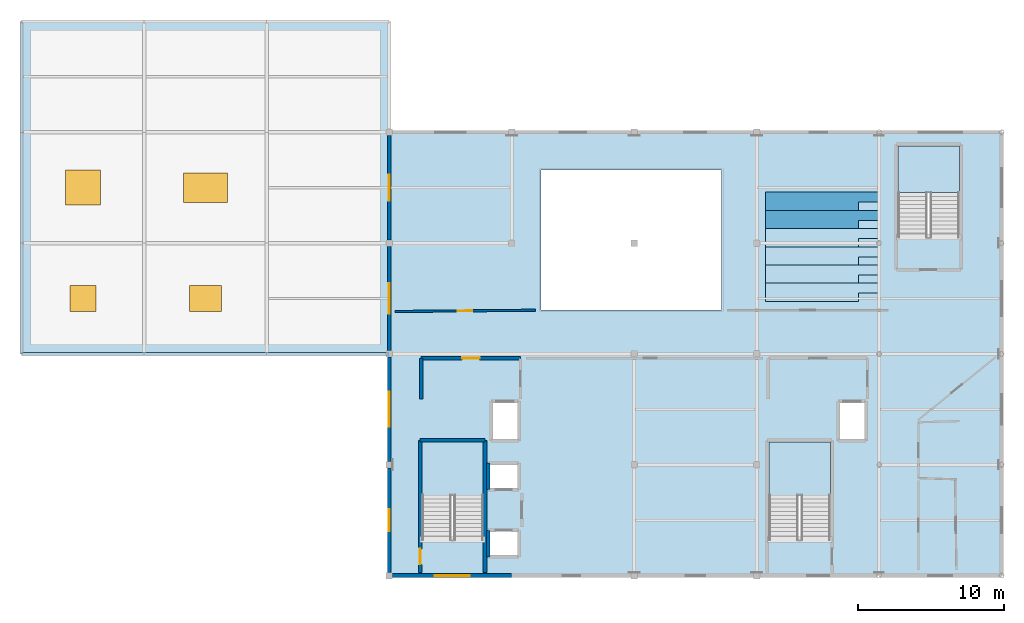
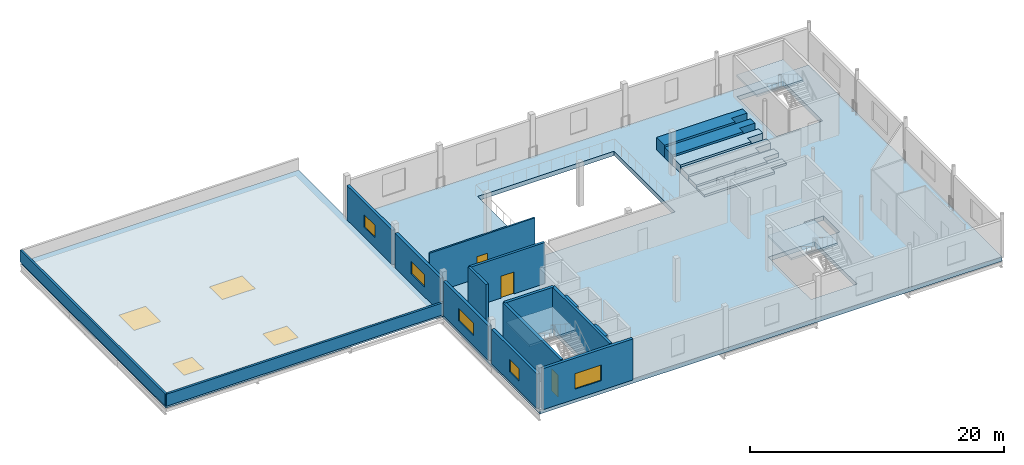
# One storey, part 5 of 13: 15 walls, 11 slabs, 9 windows, 3 doors, 12 openings, 3 elements without a shape of their own.
"""IFC4 building model written with IfcOpenShell, lengths in metres."""

from ifc_helpers import new_model, si_unit, direction, frame, frame_2d, origin, origin_2d, place, context, subcontext, project, spatial, polyline, rectangle, outline, extrude, material, layer, layer_set, type_object, element, fill, aggregate, save


model = new_model("IFC4")

# Units and contexts
model_context = context("Model", 3, precision=1e-05, world=origin(), true_north=direction((0.0, 1.0)))
body_context = subcontext(model_context, "Body", "Model", "MODEL_VIEW")
ifc_project = project(units=[si_unit("LENGTHUNIT", "METRE"), si_unit("AREAUNIT", "SQUARE_METRE"), si_unit("VOLUMEUNIT", "CUBIC_METRE"), si_unit("PLANEANGLEUNIT", "RADIAN"), si_unit("MASSUNIT", "GRAM", prefix="KILO")], contexts=[model_context])

# Site, building, storey
site_placement = place(None, origin())
site = spatial("IfcSite", under=ifc_project, at=site_placement, CompositionType="ELEMENT")
building_placement = place(site_placement, origin())
building = spatial("IfcBuilding", under=site, at=building_placement, Name="Zuvorla Pavilion Media Centre", CompositionType="ELEMENT")
storey_placement = place(building_placement, frame((0.0, 0.0, 22.199951171875)))
storey = spatial("IfcBuildingStorey", under=building, at=storey_placement, Name="L05", CompositionType="ELEMENT", Elevation=22.199951171875)

# Slab
ifc_material_1 = material(Name="Concrete C40/50", Category="concrete")
ifc_layer_1 = layer(ifc_material_1, 0.419921875)
ifc_layer_set_1 = layer_set([ifc_layer_1], Name="Concrete C40/50")
slab_type_1 = type_object("IfcSlabType", Name="SLB-FLR-400", PredefinedType="FLOOR", material=ifc_layer_set_1)
slab_1_placement = place(storey_placement, frame((0.0, 0.0, -0.419921875)))
element("IfcSlab", 1, at=slab_1_placement, inside=storey, type_object=slab_type_1, Name="L05 floor slab CB", PredefinedType="FLOOR", context=body_context, shape_type="SweptSolid", body=[
    extrude(outline(polyline([(66.800048828125, 6.0), (66.800048828125, 36.39990234375), (108.800048828125, 36.39990234375), (108.800048828125, 6.0), (66.800048828125, 6.0)]), holes=[polyline([(73.669921875, 9.030029296875), (73.669921875, 7.3701171875), (75.6298828125, 7.3701171875), (75.6298828125, 9.030029296875), (73.669921875, 9.030029296875)]), polyline([(69.050048828125, 15.14990234375), (69.050048828125, 8.449951171875), (73.25, 8.449951171875), (73.25, 15.14990234375), (69.050048828125, 15.14990234375)]), polyline([(92.85009765625, 15.14990234375), (92.85009765625, 8.449951171875), (97.050048828125, 8.449951171875), (97.050048828125, 15.14990234375), (92.85009765625, 15.14990234375)]), polyline([(73.669921875, 13.6298828125), (73.669921875, 11.969970703125), (75.6298828125, 11.969970703125), (75.6298828125, 13.6298828125), (73.669921875, 13.6298828125)]), polyline([(73.8701171875, 17.8798828125), (73.8701171875, 15.320068359375), (75.6298828125, 15.320068359375), (75.6298828125, 17.8798828125), (73.8701171875, 17.8798828125)]), polyline([(97.669921875, 17.8798828125), (97.669921875, 15.320068359375), (99.429931640625, 15.320068359375), (99.429931640625, 17.8798828125), (97.669921875, 17.8798828125)]), polyline([(77.199951171875, 33.800048828125), (77.199951171875, 24.199951171875), (89.60009765625, 24.199951171875), (89.60009765625, 33.800048828125), (77.199951171875, 33.800048828125)]), polyline([(101.699951171875, 35.449951171875), (101.699951171875, 29.199951171875), (105.89990234375, 29.199951171875), (105.89990234375, 35.449951171875), (101.699951171875, 35.449951171875)])]), origin(), (0.0, 0.0, 1.0), 0.419921875),
])

# Stair, slab
stair_type = type_object("IfcStairType", Name="STR-DOG-420", PredefinedType="TWO_STRAIGHT_RUN_STAIR", material=ifc_material_1)
stair_1_placement = place(storey_placement, origin())
stair_1 = element("IfcStair", 2, at=stair_1_placement, inside=storey, type_object=stair_type, Name="L05 exit stair ST-01", PredefinedType="TWO_STRAIGHT_RUN_STAIR")
ifc_layer_2 = layer(ifc_material_1, 0.199951171875)
ifc_layer_set_2 = layer_set([ifc_layer_2], Name="Concrete C40/50")
slab_type_2 = type_object("IfcSlabType", Name="SLB-LND-200", PredefinedType="LANDING", material=ifc_layer_set_2)
slab_2_placement = place(storey_placement, frame((0.0, 0.0, 1.900146484375)))
slab_2 = element("IfcSlab", 3, at=slab_2_placement, type_object=slab_type_2, Name="ST-01 landing 1", PredefinedType="LANDING", context=body_context, shape_type="SweptSolid", body=[
    extrude(outline(polyline([(69.030029296875, 11.510009765625), (73.27001953125, 11.510009765625), (73.27001953125, 15.169921875), (69.030029296875, 15.169921875), (69.030029296875, 11.510009765625)])), origin(), (0.0, 0.0, 1.0), 0.199951171875),
])
aggregate(stair_1, [slab_2])

stair_2_placement = place(storey_placement, origin())
stair_2 = element("IfcStair", 4, at=stair_2_placement, inside=storey, type_object=stair_type, Name="L05 exit stair ST-02", PredefinedType="TWO_STRAIGHT_RUN_STAIR")
slab_3_placement = place(storey_placement, frame((0.0, 0.0, 1.900146484375)))
slab_3 = element("IfcSlab", 5, at=slab_3_placement, type_object=slab_type_2, Name="ST-02 landing 1", PredefinedType="LANDING", context=body_context, shape_type="SweptSolid", body=[
    extrude(outline(polyline([(92.830078125, 11.510009765625), (97.070068359375, 11.510009765625), (97.070068359375, 15.169921875), (92.830078125, 15.169921875), (92.830078125, 11.510009765625)])), origin(), (0.0, 0.0, 1.0), 0.199951171875),
])
aggregate(stair_2, [slab_3])

stair_3_placement = place(storey_placement, origin())
stair_3 = element("IfcStair", 6, at=stair_3_placement, inside=storey, type_object=stair_type, Name="L05 exit stair ST-04", PredefinedType="TWO_STRAIGHT_RUN_STAIR")
slab_4_placement = place(storey_placement, frame((0.0, 0.0, 1.900146484375)))
slab_4 = element("IfcSlab", 7, at=slab_4_placement, type_object=slab_type_2, Name="ST-04 landing 1", PredefinedType="LANDING", context=body_context, shape_type="SweptSolid", body=[
    extrude(outline(polyline([(101.679931640625, 32.260009765625), (105.919921875, 32.260009765625), (105.919921875, 35.469970703125), (101.679931640625, 35.469970703125), (101.679931640625, 32.260009765625)])), origin(), (0.0, 0.0, 1.0), 0.199951171875),
])
aggregate(stair_3, [slab_4])

# Slab, openings, windows
ifc_material_2 = material(Name="Concrete C32/40", Category="concrete")
ifc_layer_3 = layer(ifc_material_2, 0.239990234375)
ifc_layer_set_3 = layer_set([ifc_layer_3], Name="Concrete C32/40")
slab_type_3 = type_object("IfcSlabType", Name="SLB-ROOF-240", PredefinedType="ROOF", material=ifc_layer_set_3)
slab_5_placement = place(storey_placement, frame((0.0, 0.0, -0.239990234375)))
slab_5 = element("IfcSlab", 8, at=slab_5_placement, inside=storey, type_object=slab_type_3, Name="L05 roof slab SLB-ROOF-SW-L05", PredefinedType="ROOF", context=body_context, shape_type="SweptSolid", body=[
    extrude(outline(polyline([(41.60009765625, 21.199951171875), (41.60009765625, 44.0), (66.800048828125, 44.0), (66.800048828125, 21.199951171875), (41.60009765625, 21.199951171875)]), holes=[polyline([(44.89990234375, 24.10009765625), (46.699951171875, 24.10009765625), (46.699951171875, 25.89990234375), (44.89990234375, 25.89990234375), (44.89990234375, 24.10009765625)]), polyline([(53.199951171875, 24.199951171875), (55.199951171875, 24.199951171875), (55.199951171875, 25.800048828125), (53.199951171875, 25.800048828125), (53.199951171875, 24.199951171875)]), polyline([(44.699951171875, 31.699951171875), (46.89990234375, 31.699951171875), (46.89990234375, 33.5), (44.699951171875, 33.5), (44.699951171875, 31.699951171875)]), polyline([(53.0, 31.60009765625), (55.39990234375, 31.60009765625), (55.39990234375, 33.60009765625), (53.0, 33.60009765625), (53.0, 31.60009765625)])]), origin(), (0.0, 0.0, 1.0), 0.239990234375),
])
opening_1_placement = place(slab_5_placement, frame((45.800048828125, 25.0, -0.010009765625)))
opening_1 = element("IfcOpeningElement", 9, at=opening_1_placement, cuts=slab_5, Name="Opening SK01", PredefinedType="OPENING", context=body_context, shape_type="SweptSolid", body=[
    extrude(rectangle(XDim=1.800048828125, YDim=1.800048828125, at=origin_2d()), origin(), (0.0, 0.0, 1.0), 0.260009765625),
])
opening_2_placement = place(slab_5_placement, frame((54.199951171875, 25.0, -0.010009765625)))
opening_2 = element("IfcOpeningElement", 10, at=opening_2_placement, cuts=slab_5, Name="Opening SK02", PredefinedType="OPENING", context=body_context, shape_type="SweptSolid", body=[
    extrude(rectangle(XDim=2.199951171875, YDim=1.800048828125, at=origin_2d()), origin(), (0.0, 0.0, 1.0), 0.260009765625),
])
opening_3_placement = place(slab_5_placement, frame((45.800048828125, 32.60009765625, -0.010009765625)))
opening_3 = element("IfcOpeningElement", 11, at=opening_3_placement, cuts=slab_5, Name="Opening SK03", PredefinedType="OPENING", context=body_context, shape_type="SweptSolid", body=[
    extrude(rectangle(XDim=2.39990234375, YDim=2.39990234375, at=origin_2d()), origin(), (0.0, 0.0, 1.0), 0.260009765625),
])
opening_4_placement = place(slab_5_placement, frame((54.199951171875, 32.60009765625, -0.010009765625)))
opening_4 = element("IfcOpeningElement", 12, at=opening_4_placement, cuts=slab_5, Name="Opening SK04", PredefinedType="OPENING", context=body_context, shape_type="SweptSolid", body=[
    extrude(rectangle(XDim=3.0, YDim=2.0, at=origin_2d()), origin(), (0.0, 0.0, 1.0), 0.260009765625),
])
ifc_material_3 = material(Name="Anodised aluminium skylight with laminated solar glass", Category="aluminium")
window_type_1 = type_object("IfcWindowType", Name="SKY-SK01", PartitioningType="SINGLE_PANEL", PredefinedType="SKYLIGHT", material=ifc_material_3)
window_1_placement = place(slab_5_placement, frame((45.800048828125, 25.0, 0.18994140625)))
window_1 = element("IfcWindow", 13, at=window_1_placement, inside=storey, type_object=window_type_1, Name="L05 roof skylight SK01 157", OverallHeight=1.800048828125, OverallWidth=1.800048828125, PartitioningType="SINGLE_PANEL", PredefinedType="SKYLIGHT", context=body_context, shape_type="SweptSolid", body=[
    extrude(rectangle(XDim=1.800048828125, YDim=1.800048828125, at=origin_2d()), origin(), (0.0, 0.0, 1.0), 0.050048828125),
])
fill(opening_1, window_1)
window_type_2 = type_object("IfcWindowType", Name="SKY-SK02", PartitioningType="SINGLE_PANEL", PredefinedType="SKYLIGHT", material=ifc_material_3)
window_2_placement = place(slab_5_placement, frame((54.199951171875, 25.0, 0.18994140625)))
window_2 = element("IfcWindow", 14, at=window_2_placement, inside=storey, type_object=window_type_2, Name="L05 roof skylight SK02 158", OverallHeight=1.800048828125, OverallWidth=2.199951171875, PartitioningType="SINGLE_PANEL", PredefinedType="SKYLIGHT", context=body_context, shape_type="SweptSolid", body=[
    extrude(rectangle(XDim=2.199951171875, YDim=1.800048828125, at=origin_2d()), origin(), (0.0, 0.0, 1.0), 0.050048828125),
])
fill(opening_2, window_2)
window_type_3 = type_object("IfcWindowType", Name="SKY-SK03", PartitioningType="SINGLE_PANEL", PredefinedType="SKYLIGHT", material=ifc_material_3)
window_3_placement = place(slab_5_placement, frame((45.800048828125, 32.60009765625, 0.18994140625)))
window_3 = element("IfcWindow", 15, at=window_3_placement, inside=storey, type_object=window_type_3, Name="L05 roof skylight SK03 159", OverallHeight=2.39990234375, OverallWidth=2.39990234375, PartitioningType="SINGLE_PANEL", PredefinedType="SKYLIGHT", context=body_context, shape_type="SweptSolid", body=[
    extrude(rectangle(XDim=2.39990234375, YDim=2.39990234375, at=origin_2d()), origin(), (0.0, 0.0, 1.0), 0.050048828125),
])
fill(opening_3, window_3)
window_type_4 = type_object("IfcWindowType", Name="SKY-SK04", PartitioningType="SINGLE_PANEL", PredefinedType="SKYLIGHT", material=ifc_material_3)
window_4_placement = place(slab_5_placement, frame((54.199951171875, 32.60009765625, 0.18994140625)))
window_4 = element("IfcWindow", 16, at=window_4_placement, inside=storey, type_object=window_type_4, Name="L05 roof skylight SK04 160", OverallHeight=2.0, OverallWidth=3.0, PartitioningType="SINGLE_PANEL", PredefinedType="SKYLIGHT", context=body_context, shape_type="SweptSolid", body=[
    extrude(rectangle(XDim=3.0, YDim=2.0, at=origin_2d()), origin(), (0.0, 0.0, 1.0), 0.050048828125),
])
fill(opening_4, window_4)

# Slabs
ifc_material_4 = material(Name="Precast concrete C40/50", Category="concrete")
ifc_layer_4 = layer(ifc_material_4, 0.14990234375)
ifc_layer_set_4 = layer_set([ifc_layer_4], Name="Precast concrete C40/50")
slab_type_4 = type_object("IfcSlabType", Name="SLB-TIER-150", PredefinedType="USERDEFINED", material=ifc_layer_set_4)
slab_6_placement = place(storey_placement, origin())
element("IfcSlab", 17, at=slab_6_placement, inside=storey, type_object=slab_type_4, Name="L05 DUB1 seating tier 1", ObjectType="SEATING TIER", PredefinedType="USERDEFINED", context=body_context, shape_type="SweptSolid", body=[
    extrude(outline(polyline([(92.60009765625, 24.800048828125), (99.0, 24.800048828125), (99.0, 25.362548828125), (100.39990234375, 25.362548828125), (100.39990234375, 26.050048828125), (92.60009765625, 26.050048828125), (92.60009765625, 24.800048828125)])), origin(), (0.0, 0.0, 1.0), 0.199951171875),
])
slab_7_placement = place(storey_placement, origin())
element("IfcSlab", 18, at=slab_7_placement, inside=storey, type_object=slab_type_4, Name="L05 DUB1 seating tier 2", ObjectType="SEATING TIER", PredefinedType="USERDEFINED", context=body_context, shape_type="SweptSolid", body=[
    extrude(outline(polyline([(92.60009765625, 26.050048828125), (99.0, 26.050048828125), (99.0, 26.612548828125), (100.39990234375, 26.612548828125), (100.39990234375, 27.300048828125), (92.60009765625, 27.300048828125), (92.60009765625, 26.050048828125)])), origin(), (0.0, 0.0, 1.0), 0.400146484375),
])
slab_8_placement = place(storey_placement, origin())
element("IfcSlab", 19, at=slab_8_placement, inside=storey, type_object=slab_type_4, Name="L05 DUB1 seating tier 3", ObjectType="SEATING TIER", PredefinedType="USERDEFINED", context=body_context, shape_type="SweptSolid", body=[
    extrude(outline(polyline([(92.60009765625, 27.300048828125), (99.0, 27.300048828125), (99.0, 27.862548828125), (100.39990234375, 27.862548828125), (100.39990234375, 28.550048828125), (92.60009765625, 28.550048828125), (92.60009765625, 27.300048828125)])), origin(), (0.0, 0.0, 1.0), 0.60009765625),
])
slab_9_placement = place(storey_placement, origin())
element("IfcSlab", 20, at=slab_9_placement, inside=storey, type_object=slab_type_4, Name="L05 DUB1 seating tier 4", ObjectType="SEATING TIER", PredefinedType="USERDEFINED", context=body_context, shape_type="SweptSolid", body=[
    extrude(outline(polyline([(92.60009765625, 28.550048828125), (99.0, 28.550048828125), (99.0, 29.112548828125), (100.39990234375, 29.112548828125), (100.39990234375, 29.800048828125), (92.60009765625, 29.800048828125), (92.60009765625, 28.550048828125)])), origin(), (0.0, 0.0, 1.0), 0.800048828125),
])
slab_10_placement = place(storey_placement, origin())
element("IfcSlab", 21, at=slab_10_placement, inside=storey, type_object=slab_type_4, Name="L05 DUB1 seating tier 5", ObjectType="SEATING TIER", PredefinedType="USERDEFINED", context=body_context, shape_type="SweptSolid", body=[
    extrude(outline(polyline([(92.60009765625, 29.800048828125), (99.0, 29.800048828125), (99.0, 30.362548828125), (100.39990234375, 30.362548828125), (100.39990234375, 31.050048828125), (92.60009765625, 31.050048828125), (92.60009765625, 29.800048828125)])), origin(), (0.0, 0.0, 1.0), 1.0),
])
slab_11_placement = place(storey_placement, origin())
element("IfcSlab", 22, at=slab_11_placement, inside=storey, type_object=slab_type_4, Name="L05 DUB1 seating tier 6", ObjectType="SEATING TIER", PredefinedType="USERDEFINED", context=body_context, shape_type="SweptSolid", body=[
    extrude(outline(polyline([(92.60009765625, 31.050048828125), (99.0, 31.050048828125), (99.0, 31.612548828125), (100.39990234375, 31.612548828125), (100.39990234375, 32.300048828125), (92.60009765625, 32.300048828125), (92.60009765625, 31.050048828125)])), origin(), (0.0, 0.0, 1.0), 1.199951171875),
])

# Wall, opening, door
ifc_material_5 = material(Name="Acoustic masonry blockwork C32/40", Category="masonry")
ifc_layer_5 = layer(ifc_material_5, 0.219970703125)
ifc_layer_set_5 = layer_set([ifc_layer_5], Name="Acoustic masonry blockwork C32/40")
wall_type_1 = type_object("IfcWallType", Name="WL-CMP-220", PredefinedType="SOLIDWALL", material=ifc_layer_set_5)
wall_1_placement = place(storey_placement, frame((69.0, 20.89990234375, 0.0), z_axis=(0.0, 0.0, 1.0), x_axis=(1.0, 0.0, 0.0)))
wall_1 = element("IfcWall", 23, at=wall_1_placement, inside=storey, type_object=wall_type_1, Name="L05 solid wall IW22 50", PredefinedType="SOLIDWALL", context=body_context, shape_type="SweptSolid", body=[
    extrude(rectangle(XDim=6.800048828125, YDim=0.219970703125, at=frame_2d((3.39990234375, 0.0))), origin(), (0.0, 0.0, 1.0), 3.949951171875),
])
opening_5_placement = place(wall_1_placement, frame((2.800048828125, 0.0, 0.0)))
opening_5 = element("IfcOpeningElement", 24, at=opening_5_placement, cuts=wall_1, Name="Opening FD06", PredefinedType="OPENING", context=body_context, shape_type="SweptSolid", body=[
    extrude(rectangle(XDim=1.199951171875, YDim=2.10009765625, at=frame_2d((0.60009765625, 1.050048828125))), frame((0.0, 0.119873046875, 0.0), z_axis=(0.0, -1.0, 0.0), x_axis=(1.0, 0.0, 0.0)), (0.0, 0.0, 1.0), 0.239990234375),
])
ifc_material_6 = material(Name="Acoustic timber fire door leaf in steel frame", Category="steel")
door_type_1 = type_object("IfcDoorType", Name="DR-INT-FD06", OperationType="NOTDEFINED", PredefinedType="DOOR", material=ifc_material_6)
door_1_placement = place(opening_5_placement, origin())
door_1 = element("IfcDoor", 25, at=door_1_placement, inside=storey, type_object=door_type_1, Name="Firefighting lobby 1 door FD06 26", OperationType="SINGLE_SWING_LEFT", OverallHeight=2.10009765625, OverallWidth=1.199951171875, PredefinedType="DOOR", context=body_context, shape_type="SweptSolid", body=[
    extrude(rectangle(XDim=1.199951171875, YDim=2.10009765625, at=frame_2d((0.60009765625, 1.050048828125))), frame((0.0, 0.02490234375, 0.0), z_axis=(0.0, -1.0, 0.0), x_axis=(1.0, 0.0, 0.0)), (0.0, 0.0, 1.0), 0.050048828125),
])
fill(opening_5, door_1)

# Wall
wall_2_placement = place(storey_placement, frame((69.0, 18.10009765625, 0.0), z_axis=(0.0, 0.0, 1.0), x_axis=(0.0, 1.0, 0.0)))
element("IfcWall", 26, at=wall_2_placement, inside=storey, type_object=wall_type_1, Name="L05 solid wall IW22 51", PredefinedType="SOLIDWALL", context=body_context, shape_type="SweptSolid", body=[
    extrude(rectangle(XDim=2.7998046875, YDim=0.219970703125, at=frame_2d((1.39990234375, 0.0))), origin(), (0.0, 0.0, 1.0), 3.949951171875),
])

# Wall, opening, door
ifc_layer_6 = layer(ifc_material_1, 0.25)
ifc_layer_set_6 = layer_set([ifc_layer_6], Name="Concrete C40/50")
wall_type_2 = type_object("IfcWallType", Name="WL-COR-250", PredefinedType="SHEAR", material=ifc_layer_set_6)
wall_3_placement = place(storey_placement, frame((68.925048828125, 6.22509765625, 0.0), z_axis=(0.0, 0.0, 1.0), x_axis=(0.0, 1.0, 0.0)))
wall_3 = element("IfcWall", 27, at=wall_3_placement, inside=storey, type_object=wall_type_2, Name="L05 shear wall CW25 47", PredefinedType="SHEAR", context=body_context, shape_type="SweptSolid", body=[
    extrude(rectangle(XDim=9.0498046875, YDim=0.25, at=frame_2d((4.52490234375, 0.0))), origin(), (0.0, 0.0, 1.0), 3.9599609375),
])
opening_6_placement = place(wall_3_placement, frame((0.550048828125, 0.0, 0.0)))
opening_6 = element("IfcOpeningElement", 28, at=opening_6_placement, cuts=wall_3, Name="Opening FD04", PredefinedType="OPENING", context=body_context, shape_type="SweptSolid", body=[
    extrude(rectangle(XDim=1.050048828125, YDim=2.10009765625, at=frame_2d((0.52490234375, 1.050048828125))), frame((0.0, 0.135009765625, 0.0), z_axis=(0.0, -1.0, 0.0), x_axis=(1.0, 0.0, 0.0)), (0.0, 0.0, 1.0), 0.27001953125),
])
door_type_2 = type_object("IfcDoorType", Name="DR-INT-FD04", OperationType="NOTDEFINED", PredefinedType="DOOR", material=ifc_material_6)
door_2_placement = place(opening_6_placement, origin())
door_2 = element("IfcDoor", 29, at=door_2_placement, inside=storey, type_object=door_type_2, Name="Stair ST-01 fire door FD04 25", OperationType="SINGLE_SWING_LEFT", OverallHeight=2.10009765625, OverallWidth=1.050048828125, PredefinedType="DOOR", context=body_context, shape_type="SweptSolid", body=[
    extrude(rectangle(XDim=1.050048828125, YDim=2.10009765625, at=frame_2d((0.52490234375, 1.050048828125))), frame((0.0, 0.02490234375, 0.0), z_axis=(0.0, -1.0, 0.0), x_axis=(1.0, 0.0, 0.0)), (0.0, 0.0, 1.0), 0.050048828125),
])
fill(opening_6, door_2)

# Walls
wall_4_placement = place(storey_placement, frame((73.375, 6.22509765625, 0.0), z_axis=(0.0, 0.0, 1.0), x_axis=(0.0, 1.0, 0.0)))
element("IfcWall", 30, at=wall_4_placement, inside=storey, type_object=wall_type_2, Name="L05 shear wall CW25 48", PredefinedType="SHEAR", context=body_context, shape_type="SweptSolid", body=[
    extrude(rectangle(XDim=9.0498046875, YDim=0.25, at=frame_2d((4.52490234375, 0.0))), origin(), (0.0, 0.0, 1.0), 3.9599609375),
])
wall_5_placement = place(storey_placement, frame((68.925048828125, 15.27490234375, 0.0), z_axis=(0.0, 0.0, 1.0), x_axis=(1.0, 0.0, 0.0)))
element("IfcWall", 31, at=wall_5_placement, inside=storey, type_object=wall_type_2, Name="L05 shear wall CW25 49", PredefinedType="SHEAR", context=body_context, shape_type="SweptSolid", body=[
    extrude(rectangle(XDim=4.449951171875, YDim=0.25, at=frame_2d((2.22509765625, 0.0))), origin(), (0.0, 0.0, 1.0), 3.9599609375),
])
for number, where, z_axis, x_axis, name in (
    (32, (73.590087890625, 7.2900390625, 0.0), (0.0, 0.0, 1.0), (0.0, 1.0, 0.0), "L05 shear wall CW25 87"),
    (33, (73.590087890625, 11.889892578125, 0.0), (0.0, 0.0, 1.0), (0.0, 1.0, 0.0), "L05 shear wall CW25 119"),
):
    element("IfcWall", number, at=place(storey_placement, frame(where, z_axis=z_axis, x_axis=x_axis)), inside=storey, type_object=wall_type_2, Name=name, PredefinedType="SHEAR", context=body_context, shape_type="SweptSolid", body=[
        extrude(rectangle(XDim=1.820068359375, YDim=0.25, at=frame_2d((0.91015625, 0.0))), origin(), (0.0, 0.0, 1.0), 3.9599609375),
    ])

# Wall, opening, window
ifc_material_7 = material(Name="White rendered concrete C32/40", Category="concrete")
ifc_layer_7 = layer(ifc_material_7, 0.260009765625)
ifc_layer_set_7 = layer_set([ifc_layer_7], Name="White rendered concrete C32/40")
wall_type_3 = type_object("IfcWallType", Name="WL-EXT-260", PredefinedType="SOLIDWALL", material=ifc_layer_set_7)
wall_6_placement = place(storey_placement, frame((67.02490234375, 6.0, 0.0), z_axis=(0.0, 0.0, 1.0), x_axis=(1.0, 0.0, 0.0)))
wall_6 = element("IfcWall", 34, at=wall_6_placement, inside=storey, type_object=wall_type_3, Name="L05 exterior solid wall EW04 299", PredefinedType="SOLIDWALL", context=body_context, shape_type="SweptSolid", body=[
    extrude(rectangle(XDim=8.175048828125, YDim=0.260009765625, at=frame_2d((4.08740234375, 0.0))), origin(), (0.0, 0.0, 1.0), 3.949951171875),
])
opening_7_placement = place(wall_6_placement, frame((2.887451171875, 0.0, 0.949951171875)))
opening_7 = element("IfcOpeningElement", 35, at=opening_7_placement, cuts=wall_6, Name="Opening WN07", PredefinedType="OPENING", context=body_context, shape_type="SweptSolid", body=[
    extrude(rectangle(XDim=2.39990234375, YDim=1.5, at=frame_2d((1.199951171875, 0.75))), frame((0.0, 0.139892578125, 0.0), z_axis=(0.0, -1.0, 0.0), x_axis=(1.0, 0.0, 0.0)), (0.0, 0.0, 1.0), 0.280029296875),
])
ifc_material_8 = material(Name="Anodised aluminium frame with solar double glazing", Category="aluminium")
window_type_5 = type_object("IfcWindowType", Name="WIN-WN07", PartitioningType="DOUBLE_PANEL_VERTICAL", PredefinedType="WINDOW", material=ifc_material_8)
window_5_placement = place(opening_7_placement, origin())
window_5 = element("IfcWindow", 36, at=window_5_placement, inside=storey, type_object=window_type_5, Name="L05 window WN07 119", OverallHeight=1.5, OverallWidth=2.39990234375, PartitioningType="DOUBLE_PANEL_VERTICAL", PredefinedType="WINDOW", context=body_context, shape_type="SweptSolid", body=[
    extrude(rectangle(XDim=2.39990234375, YDim=1.5, at=frame_2d((1.199951171875, 0.75))), frame((0.0, 0.030029296875, 0.0), z_axis=(0.0, -1.0, 0.0), x_axis=(1.0, 0.0, 0.0)), (0.0, 0.0, 1.0), 0.06005859375),
])
fill(opening_7, window_5)

wall_7_placement = place(storey_placement, frame((66.800048828125, 36.175048828125, 0.0), z_axis=(0.0, 0.0, 1.0), x_axis=(0.0, -1.0, 0.0)))
wall_7 = element("IfcWall", 37, at=wall_7_placement, inside=storey, type_object=wall_type_3, Name="L05 exterior solid wall EW04 313", PredefinedType="SOLIDWALL", context=body_context, shape_type="SweptSolid", body=[
    extrude(rectangle(XDim=7.150146484375, YDim=0.260009765625, at=frame_2d((3.5751953125, 0.0))), origin(), (0.0, 0.0, 1.0), 3.31494140625),
])
opening_8_placement = place(wall_7_placement, frame((2.675048828125, 0.0, 0.949951171875)))
opening_8 = element("IfcOpeningElement", 38, at=opening_8_placement, cuts=wall_7, Name="Opening WN26", PredefinedType="OPENING", context=body_context, shape_type="SweptSolid", body=[
    extrude(rectangle(XDim=1.800048828125, YDim=1.199951171875, at=frame_2d((0.89990234375, 0.60009765625))), frame((0.0, 0.139892578125, 0.0), z_axis=(0.0, -1.0, 0.0), x_axis=(1.0, 0.0, 0.0)), (0.0, 0.0, 1.0), 0.280029296875),
])
window_type_6 = type_object("IfcWindowType", Name="WIN-WN26", PartitioningType="DOUBLE_PANEL_VERTICAL", PredefinedType="WINDOW", material=ifc_material_8)
window_6_placement = place(opening_8_placement, origin())
window_6 = element("IfcWindow", 39, at=window_6_placement, inside=storey, type_object=window_type_6, Name="L05 window WN26 133", OverallHeight=1.199951171875, OverallWidth=1.800048828125, PartitioningType="DOUBLE_PANEL_VERTICAL", PredefinedType="WINDOW", context=body_context, shape_type="SweptSolid", body=[
    extrude(rectangle(XDim=1.800048828125, YDim=1.199951171875, at=frame_2d((0.89990234375, 0.60009765625))), frame((0.0, 0.030029296875, 0.0), z_axis=(0.0, -1.0, 0.0), x_axis=(1.0, 0.0, 0.0)), (0.0, 0.0, 1.0), 0.06005859375),
])
fill(opening_8, window_6)

wall_8_placement = place(storey_placement, frame((66.800048828125, 28.574951171875, 0.0), z_axis=(0.0, 0.0, 1.0), x_axis=(0.0, -1.0, 0.0)))
wall_8 = element("IfcWall", 40, at=wall_8_placement, inside=storey, type_object=wall_type_3, Name="L05 exterior solid wall EW04 314", PredefinedType="SOLIDWALL", context=body_context, shape_type="SweptSolid", body=[
    extrude(rectangle(XDim=7.14990234375, YDim=0.260009765625, at=frame_2d((3.574951171875, 0.0))), origin(), (0.0, 0.0, 1.0), 3.31494140625),
])
opening_9_placement = place(wall_8_placement, frame((2.52490234375, 0.0, 0.949951171875)))
opening_9 = element("IfcOpeningElement", 41, at=opening_9_placement, cuts=wall_8, Name="Opening WN27", PredefinedType="OPENING", context=body_context, shape_type="SweptSolid", body=[
    extrude(rectangle(XDim=2.10009765625, YDim=1.199951171875, at=frame_2d((1.050048828125, 0.60009765625))), frame((0.0, 0.139892578125, 0.0), z_axis=(0.0, -1.0, 0.0), x_axis=(1.0, 0.0, 0.0)), (0.0, 0.0, 1.0), 0.280029296875),
])
window_type_7 = type_object("IfcWindowType", Name="WIN-WN27", PartitioningType="DOUBLE_PANEL_VERTICAL", PredefinedType="WINDOW", material=ifc_material_8)
window_7_placement = place(opening_9_placement, origin())
window_7 = element("IfcWindow", 42, at=window_7_placement, inside=storey, type_object=window_type_7, Name="L05 window WN27 134", OverallHeight=1.199951171875, OverallWidth=2.10009765625, PartitioningType="DOUBLE_PANEL_VERTICAL", PredefinedType="WINDOW", context=body_context, shape_type="SweptSolid", body=[
    extrude(rectangle(XDim=2.10009765625, YDim=1.199951171875, at=frame_2d((1.050048828125, 0.60009765625))), frame((0.0, 0.030029296875, 0.0), z_axis=(0.0, -1.0, 0.0), x_axis=(1.0, 0.0, 0.0)), (0.0, 0.0, 1.0), 0.06005859375),
])
fill(opening_9, window_7)

wall_9_placement = place(storey_placement, frame((66.800048828125, 20.97509765625, 0.0), z_axis=(0.0, 0.0, 1.0), x_axis=(0.0, -1.0, 0.0)))
wall_9 = element("IfcWall", 43, at=wall_9_placement, inside=storey, type_object=wall_type_3, Name="L05 exterior solid wall EW04 315", PredefinedType="SOLIDWALL", context=body_context, shape_type="SweptSolid", body=[
    extrude(rectangle(XDim=7.150146484375, YDim=0.260009765625, at=frame_2d((3.5751953125, 0.0))), origin(), (0.0, 0.0, 1.0), 3.31494140625),
])
opening_10_placement = place(wall_9_placement, frame((2.375, 0.0, 0.949951171875)))
opening_10 = element("IfcOpeningElement", 44, at=opening_10_placement, cuts=wall_9, Name="Opening WN28", PredefinedType="OPENING", context=body_context, shape_type="SweptSolid", body=[
    extrude(rectangle(XDim=2.39990234375, YDim=1.199951171875, at=frame_2d((1.199951171875, 0.60009765625))), frame((0.0, 0.139892578125, 0.0), z_axis=(0.0, -1.0, 0.0), x_axis=(1.0, 0.0, 0.0)), (0.0, 0.0, 1.0), 0.280029296875),
])
window_type_8 = type_object("IfcWindowType", Name="WIN-WN28", PartitioningType="DOUBLE_PANEL_VERTICAL", PredefinedType="WINDOW", material=ifc_material_8)
window_8_placement = place(opening_10_placement, origin())
window_8 = element("IfcWindow", 45, at=window_8_placement, inside=storey, type_object=window_type_8, Name="L05 window WN28 135", OverallHeight=1.199951171875, OverallWidth=2.39990234375, PartitioningType="DOUBLE_PANEL_VERTICAL", PredefinedType="WINDOW", context=body_context, shape_type="SweptSolid", body=[
    extrude(rectangle(XDim=2.39990234375, YDim=1.199951171875, at=frame_2d((1.199951171875, 0.60009765625))), frame((0.0, 0.030029296875, 0.0), z_axis=(0.0, -1.0, 0.0), x_axis=(1.0, 0.0, 0.0)), (0.0, 0.0, 1.0), 0.06005859375),
])
fill(opening_10, window_8)

wall_10_placement = place(storey_placement, frame((66.800048828125, 13.375, 0.0), z_axis=(0.0, 0.0, 1.0), x_axis=(0.0, -1.0, 0.0)))
wall_10 = element("IfcWall", 46, at=wall_10_placement, inside=storey, type_object=wall_type_3, Name="L05 exterior solid wall EW04 316", PredefinedType="SOLIDWALL", context=body_context, shape_type="SweptSolid", body=[
    extrude(rectangle(XDim=7.14990234375, YDim=0.260009765625, at=frame_2d((3.574951171875, 0.0))), origin(), (0.0, 0.0, 1.0), 3.31494140625),
])
opening_11_placement = place(wall_10_placement, frame((2.824951171875, 0.0, 0.949951171875)))
opening_11 = element("IfcOpeningElement", 47, at=opening_11_placement, cuts=wall_10, Name="Opening WN25", PredefinedType="OPENING", context=body_context, shape_type="SweptSolid", body=[
    extrude(rectangle(XDim=1.5, YDim=1.199951171875, at=frame_2d((0.75, 0.60009765625))), frame((0.0, 0.139892578125, 0.0), z_axis=(0.0, -1.0, 0.0), x_axis=(1.0, 0.0, 0.0)), (0.0, 0.0, 1.0), 0.280029296875),
])
window_type_9 = type_object("IfcWindowType", Name="WIN-WN25", PartitioningType="SINGLE_PANEL", PredefinedType="WINDOW", material=ifc_material_8)
window_9_placement = place(opening_11_placement, origin())
window_9 = element("IfcWindow", 48, at=window_9_placement, inside=storey, type_object=window_type_9, Name="L05 window WN25 136", OverallHeight=1.199951171875, OverallWidth=1.5, PartitioningType="SINGLE_PANEL", PredefinedType="WINDOW", context=body_context, shape_type="SweptSolid", body=[
    extrude(rectangle(XDim=1.5, YDim=1.199951171875, at=frame_2d((0.75, 0.60009765625))), frame((0.0, 0.030029296875, 0.0), z_axis=(0.0, -1.0, 0.0), x_axis=(1.0, 0.0, 0.0)), (0.0, 0.0, 1.0), 0.06005859375),
])
fill(opening_11, window_9)

# Walls
ifc_layer_8 = layer(ifc_material_4, 0.18994140625)
ifc_layer_set_8 = layer_set([ifc_layer_8], Name="Precast concrete C40/50")
wall_type_4 = type_object("IfcWallType", Name="WL-PAR-190", PredefinedType="PARAPET", material=ifc_layer_set_8)
wall_11_placement = place(storey_placement, frame((41.60009765625, 21.199951171875, 0.0), z_axis=(0.0, 0.0, 1.0), x_axis=(1.0, 0.0, 0.0)))
element("IfcWall", 49, at=wall_11_placement, inside=storey, type_object=wall_type_4, Name="L05 exterior parapet WP02 338", PredefinedType="PARAPET", context=body_context, shape_type="SweptSolid", body=[
    extrude(rectangle(XDim=25.199951171875, YDim=0.18994140625, at=frame_2d((12.60009765625, 0.0))), origin(), (0.0, 0.0, 1.0), 1.150146484375),
])
wall_12_placement = place(storey_placement, frame((41.60009765625, 21.199951171875, 0.0), z_axis=(0.0, 0.0, 1.0), x_axis=(0.0, 1.0, 0.0)))
element("IfcWall", 50, at=wall_12_placement, inside=storey, type_object=wall_type_4, Name="L05 exterior parapet WP02 339", PredefinedType="PARAPET", context=body_context, shape_type="SweptSolid", body=[
    extrude(rectangle(XDim=22.800048828125, YDim=0.18994140625, at=frame_2d((11.39990234375, 0.0))), origin(), (0.0, 0.0, 1.0), 1.150146484375),
])

# Wall, opening, door
ifc_material_9 = material(Name="Acoustic gypsum stud partition")
ifc_layer_9 = layer(ifc_material_9, 0.14990234375)
ifc_layer_set_9 = layer_set([ifc_layer_9], Name="Acoustic gypsum stud partition")
wall_type_5 = type_object("IfcWallType", Name="WL-PRT-150", PredefinedType="PARTITIONING", material=ifc_layer_set_9)
wall_13_placement = place(storey_placement, frame((67.199951171875, 24.110107421875, 0.0), z_axis=(0.0, 0.0, 1.0), x_axis=(0.999957096645, 0.009263091728, 0.0)))
wall_13 = element("IfcWall", 51, at=wall_13_placement, inside=storey, type_object=wall_type_5, Name="L05 partition PT15 562", PredefinedType="PARTITIONING", context=body_context, shape_type="SweptSolid", body=[
    extrude(rectangle(XDim=9.6201171875, YDim=0.14990234375, at=frame_2d((4.81005859375, 0.0))), origin(), (0.0, 0.0, 1.0), 3.949951171875),
])
opening_12_placement = place(wall_13_placement, frame((4.320068359375, 0.0, 0.0)))
opening_12 = element("IfcOpeningElement", 52, at=opening_12_placement, cuts=wall_13, Name="Opening ID03", PredefinedType="OPENING", context=body_context, shape_type="SweptSolid", body=[
    extrude(rectangle(XDim=0.97998046875, YDim=2.080078125, at=frame_2d((0.489990234375, 1.0400390625))), frame((0.0, 0.0849609375, 0.0), z_axis=(0.0, -1.0, 0.0), x_axis=(1.0, 0.0, 0.0)), (0.0, 0.0, 1.0), 0.169921875),
])
ifc_material_10 = material(Name="Hardwood acoustic studio door in anodised frame", Category="wood")
door_type_3 = type_object("IfcDoorType", Name="DR-UNR-ID03", OperationType="NOTDEFINED", PredefinedType="DOOR", material=ifc_material_10)
door_3_placement = place(opening_12_placement, origin())
door_3 = element("IfcDoor", 53, at=door_3_placement, inside=storey, type_object=door_type_3, Name="Interior door ID03 250", OperationType="SINGLE_SWING_LEFT", OverallHeight=2.080078125, OverallWidth=0.97998046875, PredefinedType="DOOR", context=body_context, shape_type="SweptSolid", body=[
    extrude(rectangle(XDim=0.97998046875, YDim=2.080078125, at=frame_2d((0.489990234375, 1.0400390625))), frame((0.0, 0.02490234375, 0.0), z_axis=(0.0, -1.0, 0.0), x_axis=(1.0, 0.0, 0.0)), (0.0, 0.0, 1.0), 0.050048828125),
])
fill(opening_12, door_3)

save(model, "model.ifc")
